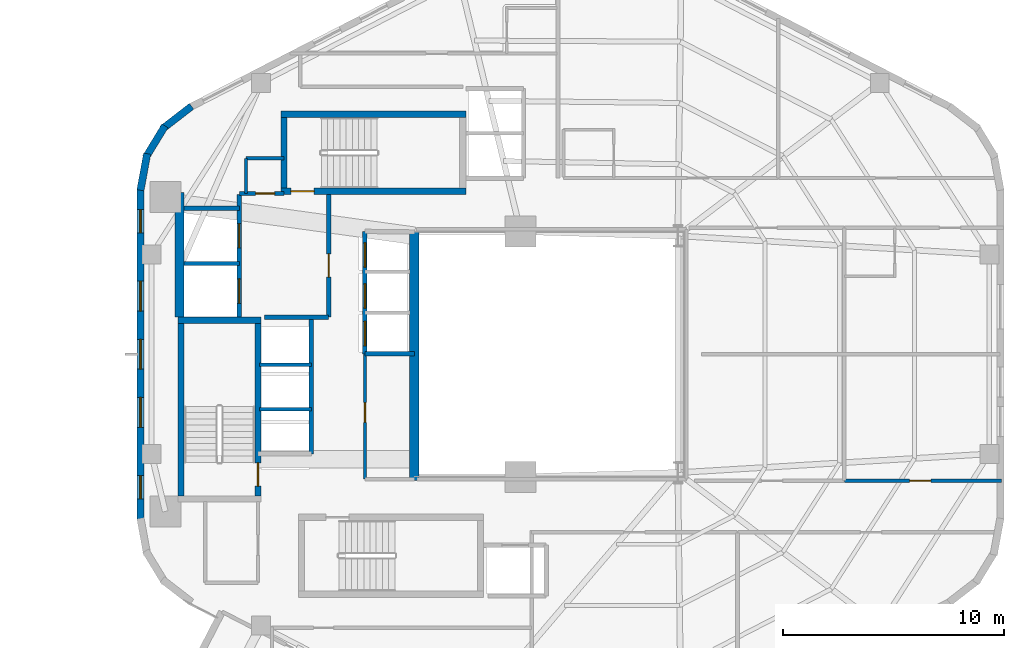
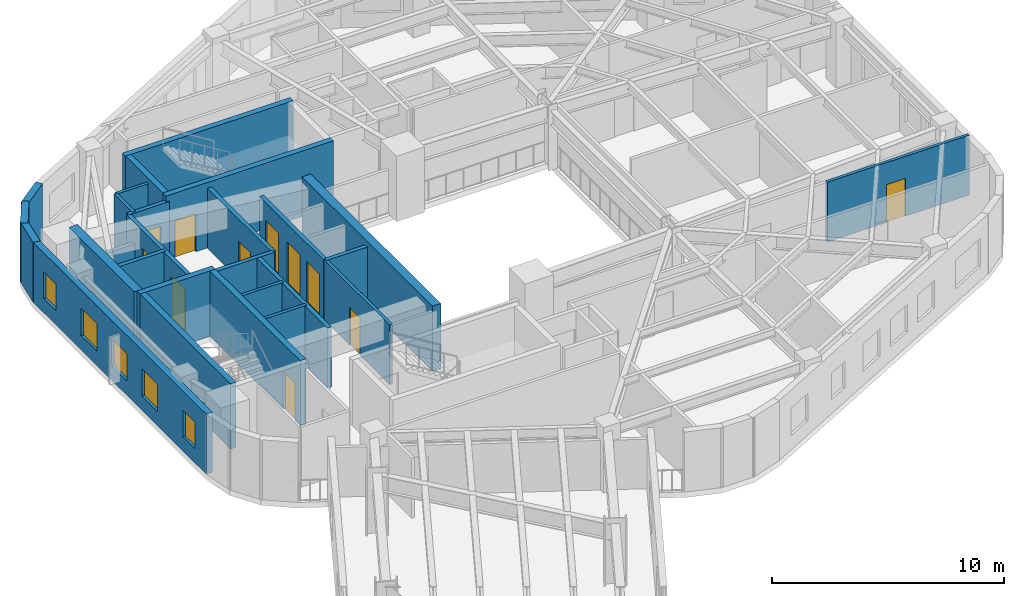
# One storey, part 6 of 9: 27 walls, 11 doors, 5 windows, 16 openings.
"""IFC4 building model written with IfcOpenShell, lengths in metres."""

from ifc_helpers import new_model, si_unit, direction, frame, frame_2d, origin, place, context, subcontext, project, spatial, rectangle, extrude, material, layer, layer_set, type_object, element, fill, save


model = new_model("IFC4")

# Units and contexts
model_context = context("Model", 3, precision=1e-05, world=origin(), true_north=direction((0.0, 1.0)))
body_context = subcontext(model_context, "Body", "Model", "MODEL_VIEW")
ifc_project = project(units=[si_unit("LENGTHUNIT", "METRE"), si_unit("AREAUNIT", "SQUARE_METRE"), si_unit("VOLUMEUNIT", "CUBIC_METRE"), si_unit("PLANEANGLEUNIT", "RADIAN"), si_unit("MASSUNIT", "GRAM", prefix="KILO"), si_unit("THERMODYNAMICTEMPERATUREUNIT", "KELVIN"), si_unit("POWERUNIT", "WATT")], contexts=[model_context])

# Site, building, storey
site_placement = place(None, origin())
site = spatial("IfcSite", under=ifc_project, at=site_placement, CompositionType="ELEMENT")
building_placement = place(site_placement, origin())
building = spatial("IfcBuilding", under=site, at=building_placement, Name="Skarre Station Tower", CompositionType="ELEMENT")
storey_placement = place(building_placement, frame((0.0, 0.0, 177.449951171875)))
storey = spatial("IfcBuildingStorey", under=building, at=storey_placement, Name="L48", CompositionType="ELEMENT", Elevation=177.449951171875)

# Wall, opening, door
ifc_material_1 = material(Name="Acoustic Steel-Stud Gypsum Partition", Category="steel")
ifc_layer_1 = layer(ifc_material_1, 0.14990234375, Name="Acoustic Steel-Stud Gypsum Partition")
ifc_layer_set_1 = layer_set([ifc_layer_1], Name="Acoustic Steel-Stud Gypsum Partition")
wall_type_1 = type_object("IfcWallType", Name="Fire-Rated Corridor Acoustic Partition 150", PredefinedType="PARTITIONING", material=ifc_layer_set_1)
wall_1_placement = place(storey_placement, frame((25.320068359375, 24.02001953125, 0.0), z_axis=(0.0, 0.0, 1.0), x_axis=(0.0, -1.0, 0.0)))
wall_1 = element("IfcWall", 1, at=wall_1_placement, inside=storey, type_object=wall_type_1, Name="L48 Interior Partition WL-PT-L48-RC1-W", PredefinedType="PARTITIONING", context=body_context, shape_type="SweptSolid", body=[
    extrude(rectangle(XDim=5.659912109375, YDim=0.14990234375, at=frame_2d((2.830078125, 0.0))), origin(), (0.0, 0.0, 1.0), 3.16015625),
])
opening_1_placement = place(wall_1_placement, frame((2.199951171875, 0.0, 0.0)))
opening_1 = element("IfcOpeningElement", 2, at=opening_1_placement, cuts=wall_1, Name="Opening DR-SVC90", PredefinedType="OPENING", context=body_context, shape_type="SweptSolid", body=[
    extrude(rectangle(XDim=0.89990234375, YDim=2.0, at=frame_2d((0.449951171875, 1.0))), frame((0.0, 0.0849609375, 0.0), z_axis=(0.0, -1.0, 0.0), x_axis=(1.0, 0.0, 0.0)), (0.0, 0.0, 1.0), 0.169921875),
])
ifc_material_2 = material(Name="Powder-Coated Hollow-Metal Acoustic Fire Leaf", Category="steel")
door_type_1 = type_object("IfcDoorType", Name="Service & Riser Fire Door FD60 900x2100", OperationType="SINGLE_SWING_LEFT", PredefinedType="DOOR", material=ifc_material_2)
door_1_placement = place(opening_1_placement, origin())
door_1 = element("IfcDoor", 3, at=door_1_placement, inside=storey, type_object=door_type_1, Name="L48 Guest Pantry Door", OperationType="SINGLE_SWING_LEFT", OverallHeight=2.0, OverallWidth=0.89990234375, PredefinedType="DOOR", context=body_context, shape_type="SweptSolid", body=[
    extrude(rectangle(XDim=0.89990234375, YDim=2.0, at=frame_2d((0.449951171875, 1.0))), frame((0.0, 0.02490234375, 0.0), z_axis=(0.0, -1.0, 0.0), x_axis=(1.0, 0.0, 0.0)), (0.0, 0.0, 1.0), 0.050048828125),
])
fill(opening_1, door_1)

# Walls
wall_2_placement = place(storey_placement, frame((19.949951171875, 32.85009765625, 0.0), z_axis=(0.0, 0.0, 1.0), x_axis=(0.0, -1.0, 0.0)))
element("IfcWall", 4, at=wall_2_placement, inside=storey, type_object=wall_type_1, Name="L48 Interior Partition WL-PT-L48-CNW-W", PredefinedType="PARTITIONING", context=body_context, shape_type="SweptSolid", body=[
    extrude(rectangle(XDim=1.590087890625, YDim=0.14990234375, at=frame_2d((0.794921875, 0.0))), origin(), (0.0, 0.0, 1.0), 3.16015625),
])
wall_3_placement = place(storey_placement, frame((21.659912109375, 32.85009765625, 0.0), z_axis=(0.0, 0.0, 1.0), x_axis=(-1.0, 0.0, 0.0)))
element("IfcWall", 5, at=wall_3_placement, inside=storey, type_object=wall_type_1, Name="L48 Interior Partition WL-PT-L48-CNW-N1", PredefinedType="PARTITIONING", context=body_context, shape_type="SweptSolid", body=[
    extrude(rectangle(XDim=1.7099609375, YDim=0.14990234375, at=frame_2d((0.85498046875, 0.0))), origin(), (0.0, 0.0, 1.0), 3.16015625),
])

# Wall, opening, door
wall_4_placement = place(storey_placement, frame((54.06201171875, 18.2900390625, 0.0), z_axis=(0.0, 0.0, 1.0), x_axis=(-1.0, 0.0, 0.0)))
wall_4 = element("IfcWall", 6, at=wall_4_placement, inside=storey, type_object=wall_type_1, Name="L48 Interior Partition WL-PT-L48-EWS2-CW", PredefinedType="PARTITIONING", context=body_context, shape_type="SweptSolid", body=[
    extrude(rectangle(XDim=7.0859375, YDim=0.14990234375, at=frame_2d((3.54296875, 0.0))), origin(), (0.0, 0.0, 1.0), 3.16015625),
])
opening_2_placement = place(wall_4_placement, frame((3.18310546875, 0.0, 0.0)))
opening_2 = element("IfcOpeningElement", 7, at=opening_2_placement, cuts=wall_4, Name="Opening DR-FD60", PredefinedType="OPENING", context=body_context, shape_type="SweptSolid", body=[
    extrude(rectangle(XDim=0.9599609375, YDim=2.0, at=frame_2d((0.47998046875, 1.0))), frame((0.0, 0.0849609375, 0.0), z_axis=(0.0, -1.0, 0.0), x_axis=(1.0, 0.0, 0.0)), (0.0, 0.0, 1.0), 0.169921875),
])
ifc_material_3 = material(Name="Nordic White-Oak Veneer Solid-Core Fire Leaf", Category="wood")
door_type_2 = type_object("IfcDoorType", Name="Corridor Suite Entry Fire Door FD60 960x2150", OperationType="SINGLE_SWING_LEFT", PredefinedType="DOOR", material=ifc_material_3)
door_2_placement = place(opening_2_placement, origin())
door_2 = element("IfcDoor", 8, at=door_2_placement, inside=storey, type_object=door_type_2, Name="L48 EWS2 Entry Door", OperationType="SINGLE_SWING_LEFT", OverallHeight=2.0, OverallWidth=0.9599609375, PredefinedType="DOOR", context=body_context, shape_type="SweptSolid", body=[
    extrude(rectangle(XDim=0.9599609375, YDim=2.0, at=frame_2d((0.47998046875, 1.0))), frame((0.0, 0.02490234375, 0.0), z_axis=(0.0, -1.0, 0.0), x_axis=(1.0, 0.0, 0.0)), (0.0, 0.0, 1.0), 0.050048828125),
])
fill(opening_2, door_2)

# Walls
ifc_material_4 = material(Name="Precast concrete C45/55", Category="concrete")
ifc_layer_2 = layer(ifc_material_4, 0.330078125, Name="Precast concrete C45/55")
ifc_layer_set_2 = layer_set([ifc_layer_2], Name="Precast concrete C45/55")
wall_type_2 = type_object("IfcWallType", Name="Nordic Rounded Corner Precast Wall 330", PredefinedType="STANDARD", material=ifc_layer_set_2)
wall_5_placement = place(storey_placement, frame((15.178955078125, 31.407958984375, 0.0), z_axis=(0.0, 0.0, 1.0), x_axis=(0.180717642671, 0.983535019014, 0.0)))
element("IfcWall", 9, at=wall_5_placement, inside=storey, type_object=wall_type_2, Name="L48 Rounded Corner Precast Wall F2-1", PredefinedType="STANDARD", context=body_context, shape_type="SweptSolid", body=[
    extrude(rectangle(XDim=1.676513671875, YDim=0.330078125, at=frame_2d((0.83837890625, 0.0))), origin(), (0.0, 0.0, 1.0), 3.16015625),
])
wall_6_placement = place(storey_placement, frame((15.4150390625, 32.882080078125, 0.0), z_axis=(0.0, 0.0, 1.0), x_axis=(0.520325409202, 0.853968072318, 0.0)))
element("IfcWall", 10, at=wall_6_placement, inside=storey, type_object=wall_type_2, Name="L48 Rounded Corner Precast Wall F2-2", PredefinedType="STANDARD", context=body_context, shape_type="SweptSolid", body=[
    extrude(rectangle(XDim=1.677978515625, YDim=0.330078125, at=frame_2d((0.8388671875, 0.0))), origin(), (0.0, 0.0, 1.0), 3.16015625),
])
wall_7_placement = place(storey_placement, frame((16.162109375, 34.175048828125, 0.0), z_axis=(0.0, 0.0, 1.0), x_axis=(0.791409877269, 0.611285862884, 0.0)))
element("IfcWall", 11, at=wall_7_placement, inside=storey, type_object=wall_type_2, Name="L48 Rounded Corner Precast Wall F2-3", PredefinedType="STANDARD", context=body_context, shape_type="SweptSolid", body=[
    extrude(rectangle(XDim=1.676513671875, YDim=0.330078125, at=frame_2d((0.83837890625, 0.0))), origin(), (0.0, 0.0, 1.0), 3.16015625),
])

# Wall, openings, windows
ifc_layer_3 = layer(ifc_material_4, 0.31005859375, Name="Precast concrete C45/55")
ifc_layer_set_3 = layer_set([ifc_layer_3], Name="Precast concrete C45/55")
wall_type_3 = type_object("IfcWallType", Name="Nordic Upper-Zone Precast Facet Wall 310", PredefinedType="STANDARD", material=ifc_layer_set_3)
wall_8_placement = place(storey_placement, frame((15.18310546875, 16.498046875, 0.0), z_axis=(0.0, 0.0, 1.0), x_axis=(0.0, 1.0, 0.0)))
wall_8 = element("IfcWall", 12, at=wall_8_placement, inside=storey, type_object=wall_type_3, Name="L48 Facet 2 Nordic Precast Masonry Wall", PredefinedType="STANDARD", context=body_context, shape_type="SweptSolid", body=[
    extrude(rectangle(XDim=15.00390625, YDim=0.31005859375, at=frame_2d((7.501953125, 0.0))), origin(), (0.0, 0.0, 1.0), 3.16015625),
])
opening_3_placement = place(wall_8_placement, frame((0.968017578125, 0.0, 0.75)))
opening_3 = element("IfcOpeningElement", 13, at=opening_3_placement, cuts=wall_8, Name="Opening WN-SLT", PredefinedType="OPENING", context=body_context, shape_type="SweptSolid", body=[
    extrude(rectangle(XDim=1.050048828125, YDim=1.39990234375, at=frame_2d((0.52490234375, 0.699951171875))), frame((0.0, 0.1650390625, 0.0), z_axis=(0.0, -1.0, 0.0), x_axis=(1.0, 0.0, 0.0)), (0.0, 0.0, 1.0), 0.330078125),
])
opening_4_placement = place(wall_8_placement, frame((4.202880859375, 0.0, 0.75)))
opening_4 = element("IfcOpeningElement", 14, at=opening_4_placement, cuts=wall_8, Name="Opening WN-Z3B", PredefinedType="OPENING", context=body_context, shape_type="SweptSolid", body=[
    extrude(rectangle(XDim=1.35009765625, YDim=1.449951171875, at=frame_2d((0.675048828125, 0.72509765625))), frame((0.0, 0.1650390625, 0.0), z_axis=(0.0, -1.0, 0.0), x_axis=(1.0, 0.0, 0.0)), (0.0, 0.0, 1.0), 0.330078125),
])
opening_5_placement = place(wall_8_placement, frame((6.826904296875, 0.0, 0.75)))
opening_5 = element("IfcOpeningElement", 15, at=opening_5_placement, cuts=wall_8, Name="Opening WN-Z3B", PredefinedType="OPENING", context=body_context, shape_type="SweptSolid", body=[
    extrude(rectangle(XDim=1.35009765625, YDim=1.449951171875, at=frame_2d((0.675048828125, 0.72509765625))), frame((0.0, 0.1650390625, 0.0), z_axis=(0.0, -1.0, 0.0), x_axis=(1.0, 0.0, 0.0)), (0.0, 0.0, 1.0), 0.330078125),
])
opening_6_placement = place(wall_8_placement, frame((9.450927734375, 0.0, 0.75)))
opening_6 = element("IfcOpeningElement", 16, at=opening_6_placement, cuts=wall_8, Name="Opening WN-Z3B", PredefinedType="OPENING", context=body_context, shape_type="SweptSolid", body=[
    extrude(rectangle(XDim=1.35009765625, YDim=1.449951171875, at=frame_2d((0.675048828125, 0.72509765625))), frame((0.0, 0.1650390625, 0.0), z_axis=(0.0, -1.0, 0.0), x_axis=(1.0, 0.0, 0.0)), (0.0, 0.0, 1.0), 0.330078125),
])
opening_7_placement = place(wall_8_placement, frame((12.986083984375, 0.0, 0.75)))
opening_7 = element("IfcOpeningElement", 17, at=opening_7_placement, cuts=wall_8, Name="Opening WN-SLT", PredefinedType="OPENING", context=body_context, shape_type="SweptSolid", body=[
    extrude(rectangle(XDim=1.050048828125, YDim=1.39990234375, at=frame_2d((0.52490234375, 0.699951171875))), frame((0.0, 0.1650390625, 0.0), z_axis=(0.0, -1.0, 0.0), x_axis=(1.0, 0.0, 0.0)), (0.0, 0.0, 1.0), 0.330078125),
])
ifc_material_5 = material(Name="Low-Iron Triple Glazing with Bronze Anodized Frame", Category="glass")
window_type_1 = type_object("IfcWindowType", Name="Nordic Corner Slot Window 1050x1400", PartitioningType="SINGLE_PANEL", PredefinedType="WINDOW", material=ifc_material_5)
window_1_placement = place(opening_3_placement, origin())
window_1 = element("IfcWindow", 18, at=window_1_placement, inside=storey, type_object=window_type_1, Name="L48 Facade Window WL-FAC-L48-F2-1", OverallHeight=1.39990234375, OverallWidth=1.050048828125, PartitioningType="SINGLE_PANEL", PredefinedType="WINDOW", context=body_context, shape_type="SweptSolid", body=[
    extrude(rectangle(XDim=1.050048828125, YDim=1.39990234375, at=frame_2d((0.52490234375, 0.699951171875))), frame((0.0, 0.030029296875, 0.0), z_axis=(0.0, -1.0, 0.0), x_axis=(1.0, 0.0, 0.0)), (0.0, 0.0, 1.0), 0.06005859375),
])
fill(opening_3, window_1)
window_2_placement = place(opening_7_placement, origin())
window_2 = element("IfcWindow", 19, at=window_2_placement, inside=storey, type_object=window_type_1, Name="L48 Facade Window WL-FAC-L48-F2-5", OverallHeight=1.39990234375, OverallWidth=1.050048828125, PartitioningType="SINGLE_PANEL", PredefinedType="WINDOW", context=body_context, shape_type="SweptSolid", body=[
    extrude(rectangle(XDim=1.050048828125, YDim=1.39990234375, at=frame_2d((0.52490234375, 0.699951171875))), frame((0.0, 0.030029296875, 0.0), z_axis=(0.0, -1.0, 0.0), x_axis=(1.0, 0.0, 0.0)), (0.0, 0.0, 1.0), 0.06005859375),
])
fill(opening_7, window_2)
window_type_2 = type_object("IfcWindowType", Name="Nordic Hospitality Narrow Window 1350x1450", PartitioningType="SINGLE_PANEL", PredefinedType="WINDOW", material=ifc_material_5)
window_3_placement = place(opening_4_placement, origin())
window_3 = element("IfcWindow", 20, at=window_3_placement, inside=storey, type_object=window_type_2, Name="L48 Facade Window WL-FAC-L48-F2-2", OverallHeight=1.449951171875, OverallWidth=1.35009765625, PartitioningType="SINGLE_PANEL", PredefinedType="WINDOW", context=body_context, shape_type="SweptSolid", body=[
    extrude(rectangle(XDim=1.35009765625, YDim=1.449951171875, at=frame_2d((0.675048828125, 0.72509765625))), frame((0.0, 0.030029296875, 0.0), z_axis=(0.0, -1.0, 0.0), x_axis=(1.0, 0.0, 0.0)), (0.0, 0.0, 1.0), 0.06005859375),
])
fill(opening_4, window_3)
window_4_placement = place(opening_5_placement, origin())
window_4 = element("IfcWindow", 21, at=window_4_placement, inside=storey, type_object=window_type_2, Name="L48 Facade Window WL-FAC-L48-F2-3", OverallHeight=1.449951171875, OverallWidth=1.35009765625, PartitioningType="SINGLE_PANEL", PredefinedType="WINDOW", context=body_context, shape_type="SweptSolid", body=[
    extrude(rectangle(XDim=1.35009765625, YDim=1.449951171875, at=frame_2d((0.675048828125, 0.72509765625))), frame((0.0, 0.030029296875, 0.0), z_axis=(0.0, -1.0, 0.0), x_axis=(1.0, 0.0, 0.0)), (0.0, 0.0, 1.0), 0.06005859375),
])
fill(opening_5, window_4)
window_5_placement = place(opening_6_placement, origin())
window_5 = element("IfcWindow", 22, at=window_5_placement, inside=storey, type_object=window_type_2, Name="L48 Facade Window WL-FAC-L48-F2-4", OverallHeight=1.449951171875, OverallWidth=1.35009765625, PartitioningType="SINGLE_PANEL", PredefinedType="WINDOW", context=body_context, shape_type="SweptSolid", body=[
    extrude(rectangle(XDim=1.35009765625, YDim=1.449951171875, at=frame_2d((0.675048828125, 0.72509765625))), frame((0.0, 0.030029296875, 0.0), z_axis=(0.0, -1.0, 0.0), x_axis=(1.0, 0.0, 0.0)), (0.0, 0.0, 1.0), 0.06005859375),
])
fill(opening_6, window_5)

# Walls
ifc_material_6 = material(Name="Concrete C50/60", Category="concrete")
ifc_layer_4 = layer(ifc_material_6, 0.280029296875, Name="Concrete C50/60")
ifc_layer_set_4 = layer_set([ifc_layer_4], Name="Concrete C50/60")
wall_type_4 = type_object("IfcWallType", Name="RC Core Shear Wall 280", PredefinedType="SHEAR", material=ifc_layer_set_4)
wall_9_placement = place(storey_placement, frame((20.6298828125, 25.5400390625, 0.0), z_axis=(0.0, 0.0, 1.0), x_axis=(-1.0, 0.0, 0.0)))
element("IfcWall", 23, at=wall_9_placement, inside=storey, type_object=wall_type_4, Name="L48 Stair ST-1 North Shear Wall", PredefinedType="SHEAR", context=body_context, shape_type="SweptSolid", body=[
    extrude(rectangle(XDim=3.759765625, YDim=0.280029296875, at=frame_2d((1.8798828125, 0.0))), origin(), (0.0, 0.0, 1.0), 3.449951171875),
])
wall_10_placement = place(storey_placement, frame((17.010009765625, 25.39990234375, 0.0), z_axis=(0.0, 0.0, 1.0), x_axis=(0.0, -1.0, 0.0)))
element("IfcWall", 24, at=wall_10_placement, inside=storey, type_object=wall_type_4, Name="L48 Stair ST-1 West Shear Wall", PredefinedType="SHEAR", context=body_context, shape_type="SweptSolid", body=[
    extrude(rectangle(XDim=7.7998046875, YDim=0.280029296875, at=frame_2d((3.89990234375, 0.0))), origin(), (0.0, 0.0, 1.0), 3.449951171875),
])

# Wall, opening, door
wall_11_placement = place(storey_placement, frame((20.489990234375, 17.60009765625, 0.0), z_axis=(0.0, 0.0, 1.0), x_axis=(0.0, 1.0, 0.0)))
wall_11 = element("IfcWall", 25, at=wall_11_placement, inside=storey, type_object=wall_type_4, Name="L48 Stair ST-1 East Shear Wall", PredefinedType="SHEAR", context=body_context, shape_type="SweptSolid", body=[
    extrude(rectangle(XDim=7.7998046875, YDim=0.280029296875, at=frame_2d((3.89990234375, 0.0))), origin(), (0.0, 0.0, 1.0), 3.449951171875),
])
opening_8_placement = place(wall_11_placement, frame((0.43994140625, 0.0, 0.0)))
opening_8 = element("IfcOpeningElement", 26, at=opening_8_placement, cuts=wall_11, Name="Opening DR-FD90", PredefinedType="OPENING", context=body_context, shape_type="SweptSolid", body=[
    extrude(rectangle(XDim=1.050048828125, YDim=2.0, at=frame_2d((0.52490234375, 1.0))), frame((0.0, 0.14990234375, 0.0), z_axis=(0.0, -1.0, 0.0), x_axis=(1.0, 0.0, 0.0)), (0.0, 0.0, 1.0), 0.300048828125),
])
ifc_material_7 = material(Name="Fire-Rated Insulated Steel Frame & Timber Core Leaf", Category="steel")
door_type_3 = type_object("IfcDoorType", Name="Stair & FSAE Lobby Fire Door FD90 1050x2150", OperationType="SINGLE_SWING_RIGHT", PredefinedType="DOOR", material=ifc_material_7)
door_3_placement = place(opening_8_placement, origin())
door_3 = element("IfcDoor", 27, at=door_3_placement, inside=storey, type_object=door_type_3, Name="L48 Stair ST-1 Exit Door", OperationType="SINGLE_SWING_RIGHT", OverallHeight=2.0, OverallWidth=1.050048828125, PredefinedType="DOOR", context=body_context, shape_type="SweptSolid", body=[
    extrude(rectangle(XDim=1.050048828125, YDim=2.0, at=frame_2d((0.52490234375, 1.0))), frame((0.0, 0.02490234375, 0.0), z_axis=(0.0, -1.0, 0.0), x_axis=(1.0, 0.0, 0.0)), (0.0, 0.0, 1.0), 0.050048828125),
])
fill(opening_8, door_3)

wall_12_placement = place(storey_placement, frame((21.52001953125, 31.360107421875, 0.0), z_axis=(0.0, 0.0, 1.0), x_axis=(1.0, 0.0, 0.0)))
wall_12 = element("IfcWall", 28, at=wall_12_placement, inside=storey, type_object=wall_type_4, Name="L48 Stair ST-3 South Shear Wall", PredefinedType="SHEAR", context=body_context, shape_type="SweptSolid", body=[
    extrude(rectangle(XDim=8.35986328125, YDim=0.280029296875, at=frame_2d((4.179931640625, 0.0))), origin(), (0.0, 0.0, 1.0), 3.449951171875),
])
opening_9_placement = place(wall_12_placement, frame((0.449951171875, 0.0, 0.0)))
opening_9 = element("IfcOpeningElement", 29, at=opening_9_placement, cuts=wall_12, Name="Opening DR-FD90", PredefinedType="OPENING", context=body_context, shape_type="SweptSolid", body=[
    extrude(rectangle(XDim=1.050048828125, YDim=2.0, at=frame_2d((0.52490234375, 1.0))), frame((0.0, 0.14990234375, 0.0), z_axis=(0.0, -1.0, 0.0), x_axis=(1.0, 0.0, 0.0)), (0.0, 0.0, 1.0), 0.300048828125),
])
door_4_placement = place(opening_9_placement, origin())
door_4 = element("IfcDoor", 30, at=door_4_placement, inside=storey, type_object=door_type_3, Name="L48 Stair ST-3 & FSAE Lobby Direct Exit Door", OperationType="SINGLE_SWING_LEFT", OverallHeight=2.0, OverallWidth=1.050048828125, PredefinedType="DOOR", context=body_context, shape_type="SweptSolid", body=[
    extrude(rectangle(XDim=1.050048828125, YDim=2.0, at=frame_2d((0.52490234375, 1.0))), frame((0.0, 0.02490234375, 0.0), z_axis=(0.0, -1.0, 0.0), x_axis=(1.0, 0.0, 0.0)), (0.0, 0.0, 1.0), 0.050048828125),
])
fill(opening_9, door_4)

# Walls
wall_13_placement = place(storey_placement, frame((29.8798828125, 34.840087890625, 0.0), z_axis=(0.0, 0.0, 1.0), x_axis=(-1.0, 0.0, 0.0)))
element("IfcWall", 31, at=wall_13_placement, inside=storey, type_object=wall_type_4, Name="L48 Stair ST-3 North Shear Wall", PredefinedType="SHEAR", context=body_context, shape_type="SweptSolid", body=[
    extrude(rectangle(XDim=8.35986328125, YDim=0.280029296875, at=frame_2d((4.179931640625, 0.0))), origin(), (0.0, 0.0, 1.0), 3.449951171875),
])
wall_14_placement = place(storey_placement, frame((21.659912109375, 34.699951171875, 0.0), z_axis=(0.0, 0.0, 1.0), x_axis=(0.0, -1.0, 0.0)))
element("IfcWall", 32, at=wall_14_placement, inside=storey, type_object=wall_type_4, Name="L48 Stair ST-3 West Shear Wall", PredefinedType="SHEAR", context=body_context, shape_type="SweptSolid", body=[
    extrude(rectangle(XDim=3.199951171875, YDim=0.280029296875, at=frame_2d((1.60009765625, 0.0))), origin(), (0.0, 0.0, 1.0), 3.449951171875),
])
ifc_material_8 = material(Name="Concrete C60/75", Category="concrete")
ifc_layer_5 = layer(ifc_material_8, 0.419921875, Name="Concrete C60/75")
ifc_layer_set_5 = layer_set([ifc_layer_5], Name="Concrete C60/75")
wall_type_5 = type_object("IfcWallType", Name="RC Core Shear Wall 420", PredefinedType="SHEAR", material=ifc_layer_set_5)
wall_15_placement = place(storey_placement, frame((16.93994140625, 25.679931640625, 0.0), z_axis=(0.0, 0.0, 1.0), x_axis=(0.0, 1.0, 0.0)))
element("IfcWall", 33, at=wall_15_placement, inside=storey, type_object=wall_type_5, Name="L48 Core West-North Shear Wall", PredefinedType="SHEAR", context=body_context, shape_type="SweptSolid", body=[
    extrude(rectangle(XDim=5.6201171875, YDim=0.419921875, at=frame_2d((2.81005859375, 0.0))), origin(), (0.0, 0.0, 1.0), 3.449951171875),
])
wall_16_placement = place(storey_placement, frame((27.550048828125, 29.550048828125, 0.0), z_axis=(0.0, 0.0, 1.0), x_axis=(0.0, -1.0, 0.0)))
element("IfcWall", 34, at=wall_16_placement, inside=storey, type_object=wall_type_5, Name="L48 Core East Atrium Shear Wall", PredefinedType="SHEAR", context=body_context, shape_type="SweptSolid", body=[
    extrude(rectangle(XDim=11.25, YDim=0.419921875, at=frame_2d((5.625, 0.0))), origin(), (0.0, 0.0, 1.0), 3.449951171875),
])

# Wall, openings, doors
ifc_material_9 = material(Name="Gypsum Concrete Shaft Assembly C30/37", Category="concrete")
ifc_layer_6 = layer(ifc_material_9, 0.199951171875, Name="Gypsum Concrete Shaft Assembly C30/37")
ifc_layer_set_6 = layer_set([ifc_layer_6], Name="Gypsum Concrete Shaft Assembly C30/37")
wall_type_6 = type_object("IfcWallType", Name="Shaft & Core Fire Partition 200", PredefinedType="PARTITIONING", material=ifc_layer_set_6)
wall_17_placement = place(storey_placement, frame((19.64990234375, 25.679931640625, 0.0), z_axis=(0.0, 0.0, 1.0), x_axis=(0.0, 1.0, 0.0)))
wall_17 = element("IfcWall", 35, at=wall_17_placement, inside=storey, type_object=wall_type_6, Name="L48 Interior Partition WL-PT-L48-FSAE-W", PredefinedType="PARTITIONING", context=body_context, shape_type="SweptSolid", body=[
    extrude(rectangle(XDim=5.5400390625, YDim=0.199951171875, at=frame_2d((2.77001953125, 0.0))), origin(), (0.0, 0.0, 1.0), 3.16015625),
])
opening_10_placement = place(wall_17_placement, frame((0.6201171875, 0.0, 0.0)))
opening_10 = element("IfcOpeningElement", 36, at=opening_10_placement, cuts=wall_17, Name="Opening LD-FF1", PredefinedType="OPENING", context=body_context, shape_type="SweptSolid", body=[
    extrude(rectangle(XDim=1.10009765625, YDim=2.199951171875, at=frame_2d((0.550048828125, 1.10009765625))), frame((0.0, 0.10986328125, 0.0), z_axis=(0.0, -1.0, 0.0), x_axis=(1.0, 0.0, 0.0)), (0.0, 0.0, 1.0), 0.219970703125),
])
opening_11_placement = place(wall_17_placement, frame((3.1201171875, 0.0, 0.0)))
opening_11 = element("IfcOpeningElement", 37, at=opening_11_placement, cuts=wall_17, Name="Opening LD-FF2", PredefinedType="OPENING", context=body_context, shape_type="SweptSolid", body=[
    extrude(rectangle(XDim=1.10009765625, YDim=2.199951171875, at=frame_2d((0.550048828125, 1.10009765625))), frame((0.0, 0.10986328125, 0.0), z_axis=(0.0, -1.0, 0.0), x_axis=(1.0, 0.0, 0.0)), (0.0, 0.0, 1.0), 0.219970703125),
])
ifc_material_10 = material(Name="Fire-Rated Stainless Steel Grade 316L Sliding Leaves", Category="steel")
door_type_4 = type_object("IfcDoorType", Name="Fire Service Access Elevator Sliding Landing Door 1100x2200", OperationType="SLIDING_TO_LEFT", PredefinedType="DOOR", material=ifc_material_10)
door_5_placement = place(opening_10_placement, origin())
door_5 = element("IfcDoor", 38, at=door_5_placement, inside=storey, type_object=door_type_4, Name="L48 Firefighting Lift LF-FF1 Landing Door", OperationType="SLIDING_TO_LEFT", OverallHeight=2.199951171875, OverallWidth=1.10009765625, PredefinedType="DOOR", context=body_context, shape_type="SweptSolid", body=[
    extrude(rectangle(XDim=1.10009765625, YDim=2.199951171875, at=frame_2d((0.550048828125, 1.10009765625))), frame((0.0, 0.02490234375, 0.0), z_axis=(0.0, -1.0, 0.0), x_axis=(1.0, 0.0, 0.0)), (0.0, 0.0, 1.0), 0.050048828125),
])
fill(opening_10, door_5)
door_6_placement = place(opening_11_placement, origin())
door_6 = element("IfcDoor", 39, at=door_6_placement, inside=storey, type_object=door_type_4, Name="L48 Firefighting Lift LF-FF2 Landing Door", OperationType="SLIDING_TO_LEFT", OverallHeight=2.199951171875, OverallWidth=1.10009765625, PredefinedType="DOOR", context=body_context, shape_type="SweptSolid", body=[
    extrude(rectangle(XDim=1.10009765625, YDim=2.199951171875, at=frame_2d((0.550048828125, 1.10009765625))), frame((0.0, 0.02490234375, 0.0), z_axis=(0.0, -1.0, 0.0), x_axis=(1.0, 0.0, 0.0)), (0.0, 0.0, 1.0), 0.050048828125),
])
fill(opening_11, door_6)

# Wall
wall_18_placement = place(storey_placement, frame((20.79296875, 25.679931640625, 0.0), z_axis=(0.0, 0.0, 1.0), x_axis=(1.0, 0.0, 0.0)))
element("IfcWall", 40, at=wall_18_placement, inside=storey, type_object=wall_type_6, Name="L48 Interior Partition WL-PT-L48-FSAE-S", PredefinedType="PARTITIONING", context=body_context, shape_type="SweptSolid", body=[
    extrude(rectangle(XDim=2.886962890625, YDim=0.199951171875, at=frame_2d((1.443359375, 0.0))), origin(), (0.0, 0.0, 1.0), 3.16015625),
])

# Wall, opening, door
wall_19_placement = place(storey_placement, frame((23.679931640625, 25.679931640625, 0.0), z_axis=(0.0, 0.0, 1.0), x_axis=(0.0, 1.0, 0.0)))
wall_19 = element("IfcWall", 41, at=wall_19_placement, inside=storey, type_object=wall_type_6, Name="L48 Interior Partition WL-PT-L48-FSAE-E", PredefinedType="PARTITIONING", context=body_context, shape_type="SweptSolid", body=[
    extrude(rectangle(XDim=5.5400390625, YDim=0.199951171875, at=frame_2d((2.77001953125, 0.0))), origin(), (0.0, 0.0, 1.0), 3.16015625),
])
opening_12_placement = place(wall_19_placement, frame((1.800048828125, 0.0, 0.0)))
opening_12 = element("IfcOpeningElement", 42, at=opening_12_placement, cuts=wall_19, Name="Opening DR-FD90", PredefinedType="OPENING", context=body_context, shape_type="SweptSolid", body=[
    extrude(rectangle(XDim=1.050048828125, YDim=2.0, at=frame_2d((0.52490234375, 1.0))), frame((0.0, 0.10986328125, 0.0), z_axis=(0.0, -1.0, 0.0), x_axis=(1.0, 0.0, 0.0)), (0.0, 0.0, 1.0), 0.219970703125),
])
door_7_placement = place(opening_12_placement, origin())
door_7 = element("IfcDoor", 43, at=door_7_placement, inside=storey, type_object=door_type_3, Name="L48 FSAE Lobby Fire Door", OperationType="SINGLE_SWING_RIGHT", OverallHeight=2.0, OverallWidth=1.050048828125, PredefinedType="DOOR", context=body_context, shape_type="SweptSolid", body=[
    extrude(rectangle(XDim=1.050048828125, YDim=2.0, at=frame_2d((0.52490234375, 1.0))), frame((0.0, 0.02490234375, 0.0), z_axis=(0.0, -1.0, 0.0), x_axis=(1.0, 0.0, 0.0)), (0.0, 0.0, 1.0), 0.050048828125),
])
fill(opening_12, door_7)

wall_20_placement = place(storey_placement, frame((21.659912109375, 31.260009765625, 0.0), z_axis=(0.0, 0.0, 1.0), x_axis=(-1.0, 0.0, 0.0)))
wall_20 = element("IfcWall", 44, at=wall_20_placement, inside=storey, type_object=wall_type_6, Name="L48 Interior Partition WL-PT-L48-FSAE-N", PredefinedType="PARTITIONING", context=body_context, shape_type="SweptSolid", body=[
    extrude(rectangle(XDim=2.010009765625, YDim=0.199951171875, at=frame_2d((1.0048828125, 0.0))), origin(), (0.0, 0.0, 1.0), 3.16015625),
])
opening_13_placement = place(wall_20_placement, frame((0.419921875, 0.0, 0.0)))
opening_13 = element("IfcOpeningElement", 45, at=opening_13_placement, cuts=wall_20, Name="Opening DR-SVC86", PredefinedType="OPENING", context=body_context, shape_type="SweptSolid", body=[
    extrude(rectangle(XDim=0.860107421875, YDim=2.0, at=frame_2d((0.43017578125, 1.0))), frame((0.0, 0.10986328125, 0.0), z_axis=(0.0, -1.0, 0.0), x_axis=(1.0, 0.0, 0.0)), (0.0, 0.0, 1.0), 0.219970703125),
])
door_type_5 = type_object("IfcDoorType", Name="Compact Riser Fire Door FD60 860x2100", OperationType="SINGLE_SWING_LEFT", PredefinedType="DOOR", material=ifc_material_2)
door_8_placement = place(opening_13_placement, origin())
door_8 = element("IfcDoor", 46, at=door_8_placement, inside=storey, type_object=door_type_5, Name="L48 Core Service Room Lobby Door", OperationType="SINGLE_SWING_LEFT", OverallHeight=2.0, OverallWidth=0.860107421875, PredefinedType="DOOR", context=body_context, shape_type="SweptSolid", body=[
    extrude(rectangle(XDim=0.860107421875, YDim=2.0, at=frame_2d((0.43017578125, 1.0))), frame((0.0, 0.02490234375, 0.0), z_axis=(0.0, -1.0, 0.0), x_axis=(1.0, 0.0, 0.0)), (0.0, 0.0, 1.0), 0.050048828125),
])
fill(opening_13, door_8)

# Walls
wall_21_placement = place(storey_placement, frame((17.14990234375, 28.10009765625, 0.0), z_axis=(0.0, 0.0, 1.0), x_axis=(1.0, 0.0, 0.0)))
element("IfcWall", 47, at=wall_21_placement, inside=storey, type_object=wall_type_6, Name="L48 Interior Partition WL-PT-L48-FF-DIV", PredefinedType="PARTITIONING", context=body_context, shape_type="SweptSolid", body=[
    extrude(rectangle(XDim=2.5, YDim=0.199951171875, at=frame_2d((1.25, 0.0))), origin(), (0.0, 0.0, 1.0), 3.16015625),
])
wall_22_placement = place(storey_placement, frame((19.64990234375, 30.60009765625, 0.0), z_axis=(0.0, 0.0, 1.0), x_axis=(-1.0, 0.0, 0.0)))
element("IfcWall", 48, at=wall_22_placement, inside=storey, type_object=wall_type_6, Name="L48 Interior Partition WL-PT-L48-FF-N", PredefinedType="PARTITIONING", context=body_context, shape_type="SweptSolid", body=[
    extrude(rectangle(XDim=2.5, YDim=0.199951171875, at=frame_2d((1.25, 0.0))), origin(), (0.0, 0.0, 1.0), 2.06005859375),
])
wall_23_placement = place(storey_placement, frame((22.89990234375, 19.5, 0.0), z_axis=(0.0, 0.0, 1.0), x_axis=(0.0, 1.0, 0.0)))
element("IfcWall", 49, at=wall_23_placement, inside=storey, type_object=wall_type_6, Name="L48 Interior Partition WL-PT-L48-B3-E", PredefinedType="PARTITIONING", context=body_context, shape_type="SweptSolid", body=[
    extrude(rectangle(XDim=6.0849609375, YDim=0.199951171875, at=frame_2d((3.04248046875, 0.0))), origin(), (0.0, 0.0, 1.0), 3.16015625),
])
for number, where, z_axis, x_axis, name in (
    (50, (20.550048828125, 21.52001953125, 0.0), (0.0, 0.0, 1.0), (1.0, 0.0, 0.0), "L48 Interior Partition WL-PT-L48-B3-D1"),
    (51, (20.550048828125, 23.52001953125, 0.0), (0.0, 0.0, 1.0), (1.0, 0.0, 0.0), "L48 Interior Partition WL-PT-L48-B3-D2"),
):
    element("IfcWall", number, at=place(storey_placement, frame(where, z_axis=z_axis, x_axis=x_axis)), inside=storey, type_object=wall_type_6, Name=name, PredefinedType="PARTITIONING", context=body_context, shape_type="SweptSolid", body=[
        extrude(rectangle(XDim=2.349853515625, YDim=0.159912109375, at=frame_2d((1.1748046875, 0.0))), origin(), (0.0, 0.0, 1.0), 3.16015625),
    ])

# Wall, openings, doors
wall_24_placement = place(storey_placement, frame((25.320068359375, 29.550048828125, 0.0), z_axis=(0.0, 0.0, 1.0), x_axis=(0.0, -1.0, 0.0)))
wall_24 = element("IfcWall", 52, at=wall_24_placement, inside=storey, type_object=wall_type_6, Name="L48 Interior Partition WL-PT-L48-B2-W", PredefinedType="PARTITIONING", context=body_context, shape_type="SweptSolid", body=[
    extrude(rectangle(XDim=5.530029296875, YDim=0.199951171875, at=frame_2d((2.76513671875, 0.0))), origin(), (0.0, 0.0, 1.0), 3.16015625),
])
opening_14_placement = place(wall_24_placement, frame((0.52001953125, 0.0, 0.0)))
opening_14 = element("IfcOpeningElement", 53, at=opening_14_placement, cuts=wall_24, Name="Opening LD-P6", PredefinedType="OPENING", context=body_context, shape_type="SweptSolid", body=[
    extrude(rectangle(XDim=1.10009765625, YDim=2.199951171875, at=frame_2d((0.550048828125, 1.10009765625))), frame((0.0, 0.10986328125, 0.0), z_axis=(0.0, -1.0, 0.0), x_axis=(1.0, 0.0, 0.0)), (0.0, 0.0, 1.0), 0.219970703125),
])
opening_15_placement = place(wall_24_placement, frame((2.3701171875, 0.0, 0.0)))
opening_15 = element("IfcOpeningElement", 54, at=opening_15_placement, cuts=wall_24, Name="Opening LD-P5", PredefinedType="OPENING", context=body_context, shape_type="SweptSolid", body=[
    extrude(rectangle(XDim=1.10009765625, YDim=2.199951171875, at=frame_2d((0.550048828125, 1.10009765625))), frame((0.0, 0.10986328125, 0.0), z_axis=(0.0, -1.0, 0.0), x_axis=(1.0, 0.0, 0.0)), (0.0, 0.0, 1.0), 0.219970703125),
])
opening_16_placement = place(wall_24_placement, frame((4.070068359375, 0.0, 0.0)))
opening_16 = element("IfcOpeningElement", 55, at=opening_16_placement, cuts=wall_24, Name="Opening LD-P4", PredefinedType="OPENING", context=body_context, shape_type="SweptSolid", body=[
    extrude(rectangle(XDim=1.10009765625, YDim=2.199951171875, at=frame_2d((0.550048828125, 1.10009765625))), frame((0.0, 0.10986328125, 0.0), z_axis=(0.0, -1.0, 0.0), x_axis=(1.0, 0.0, 0.0)), (0.0, 0.0, 1.0), 0.219970703125),
])
ifc_material_11 = material(Name="Brushed Bronze Stainless Steel Sliding Leaves", Category="steel")
door_type_6 = type_object("IfcDoorType", Name="Passenger Elevator Center-Parting Sliding Door 1100x2200", OperationType="SLIDING_TO_LEFT", PredefinedType="DOOR", material=ifc_material_11)
door_9_placement = place(opening_14_placement, origin())
door_9 = element("IfcDoor", 56, at=door_9_placement, inside=storey, type_object=door_type_6, Name="L48 Passenger Lift LF-P6 Landing Door", OperationType="SLIDING_TO_LEFT", OverallHeight=2.199951171875, OverallWidth=1.10009765625, PredefinedType="DOOR", context=body_context, shape_type="SweptSolid", body=[
    extrude(rectangle(XDim=1.10009765625, YDim=2.199951171875, at=frame_2d((0.550048828125, 1.10009765625))), frame((0.0, 0.02490234375, 0.0), z_axis=(0.0, -1.0, 0.0), x_axis=(1.0, 0.0, 0.0)), (0.0, 0.0, 1.0), 0.050048828125),
])
fill(opening_14, door_9)
door_10_placement = place(opening_15_placement, origin())
door_10 = element("IfcDoor", 57, at=door_10_placement, inside=storey, type_object=door_type_6, Name="L48 Passenger Lift LF-P5 Landing Door", OperationType="SLIDING_TO_LEFT", OverallHeight=2.199951171875, OverallWidth=1.10009765625, PredefinedType="DOOR", context=body_context, shape_type="SweptSolid", body=[
    extrude(rectangle(XDim=1.10009765625, YDim=2.199951171875, at=frame_2d((0.550048828125, 1.10009765625))), frame((0.0, 0.02490234375, 0.0), z_axis=(0.0, -1.0, 0.0), x_axis=(1.0, 0.0, 0.0)), (0.0, 0.0, 1.0), 0.050048828125),
])
fill(opening_15, door_10)
door_11_placement = place(opening_16_placement, origin())
door_11 = element("IfcDoor", 58, at=door_11_placement, inside=storey, type_object=door_type_6, Name="L48 Passenger Lift LF-P4 Landing Door", OperationType="SLIDING_TO_LEFT", OverallHeight=2.199951171875, OverallWidth=1.10009765625, PredefinedType="DOOR", context=body_context, shape_type="SweptSolid", body=[
    extrude(rectangle(XDim=1.10009765625, YDim=2.199951171875, at=frame_2d((0.550048828125, 1.10009765625))), frame((0.0, 0.02490234375, 0.0), z_axis=(0.0, -1.0, 0.0), x_axis=(1.0, 0.0, 0.0)), (0.0, 0.0, 1.0), 0.050048828125),
])
fill(opening_16, door_11)

# Wall
wall_25_placement = place(storey_placement, frame((25.320068359375, 24.02001953125, 0.0), z_axis=(0.0, 0.0, 1.0), x_axis=(1.0, 0.0, 0.0)))
element("IfcWall", 59, at=wall_25_placement, inside=storey, type_object=wall_type_6, Name="L48 Interior Partition WL-PT-L48-B2-S", PredefinedType="PARTITIONING", context=body_context, shape_type="SweptSolid", body=[
    extrude(rectangle(XDim=2.22998046875, YDim=0.199951171875, at=frame_2d((1.114990234375, 0.0))), origin(), (0.0, 0.0, 1.0), 3.16015625),
])

save(model, "model.ifc")
